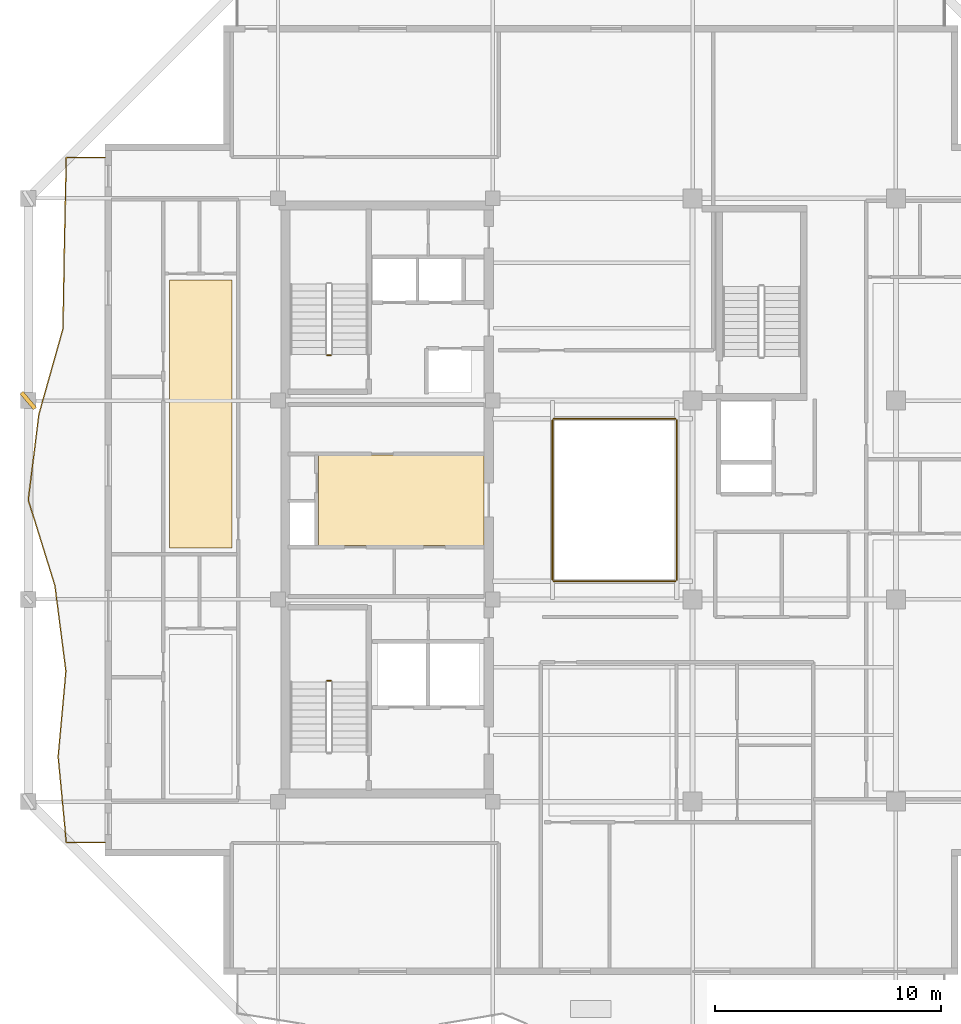
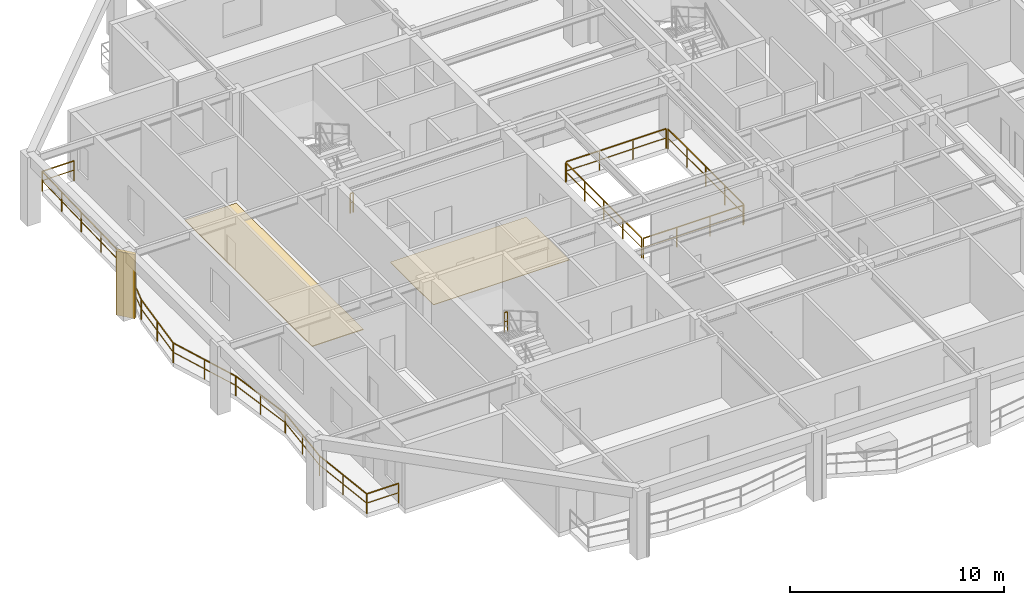
# One storey, part 9 of 12: 7 railings, 2 coverings, 1 shading device.
"""IFC4 building model written with IfcOpenShell, lengths in metres."""

from ifc_helpers import new_model, si_unit, direction, frame, origin, origin_2d, place, context, subcontext, project, spatial, polyline, rectangle, outline, extrude, material, layer, layer_set, type_object, element, save


model = new_model("IFC4")

# Units and contexts
model_context = context("Model", 3, precision=1e-05, world=origin(), true_north=direction((0.0, 1.0)))
body_context = subcontext(model_context, "Body", "Model", "MODEL_VIEW")
ifc_project = project(units=[si_unit("LENGTHUNIT", "METRE"), si_unit("AREAUNIT", "SQUARE_METRE"), si_unit("VOLUMEUNIT", "CUBIC_METRE"), si_unit("PLANEANGLEUNIT", "RADIAN"), si_unit("MASSUNIT", "GRAM", prefix="KILO")], contexts=[model_context])

# Site, building, storey
site_placement = place(None, origin())
site = spatial("IfcSite", under=ifc_project, at=site_placement, CompositionType="ELEMENT")
building_placement = place(site_placement, origin())
building = spatial("IfcBuilding", under=site, at=building_placement, Name="Kundavana Baori Tower", CompositionType="ELEMENT")
storey_placement = place(building_placement, frame((0.0, 0.0, 237.5)))
storey = spatial("IfcBuildingStorey", under=building, at=storey_placement, Name="L58", CompositionType="ELEMENT", Elevation=237.5)

# Coverings
ifc_material_1 = material(Name="Honed Kota Stone and Terrazzo Flooring", Category="masonry")
ifc_layer_1 = layer(ifc_material_1, 0.0400390625, Name="COV-FLR-TERR-40")
ifc_layer_set_1 = layer_set([ifc_layer_1], Name="Honed Kota Stone and Terrazzo Flooring")
covering_type_1 = type_object("IfcCoveringType", Name="COV-FLR-TERR-40", PredefinedType="FLOORING", material=ifc_layer_set_1)
covering_1_placement = place(storey_placement, origin())
element("IfcCovering", 1, at=covering_1_placement, inside=storey, type_object=covering_type_1, Name="L58 Room Finished Stone Flooring 2", PredefinedType="FLOORING", context=body_context, shape_type="SweptSolid", body=[
    extrude(outline(polyline([(10.64990234375, 26.47998046875), (13.419921875, 26.47998046875), (13.419921875, 38.340087890625), (10.64990234375, 38.340087890625), (10.64990234375, 26.47998046875)])), origin(), (0.0, 0.0, 1.0), 0.0400390625),
])
ifc_material_2 = material(Name="Honed Kota Stone and Terrazzo Flooring", Category="masonry")
ifc_layer_2 = layer(ifc_material_2, 0.030029296875, Name="COV-INT-FLR")
ifc_layer_set_2 = layer_set([ifc_layer_2], Name="Honed Kota Stone and Terrazzo Flooring")
covering_type_2 = type_object("IfcCoveringType", Name="COV-INT-FLR", PredefinedType="FLOORING", material=ifc_layer_set_2)
covering_2_placement = place(storey_placement, origin())
element("IfcCovering", 2, at=covering_2_placement, inside=storey, type_object=covering_type_2, Name="L58 Core Lift Lobby Kota Stone Flooring", PredefinedType="FLOORING", context=body_context, shape_type="SweptSolid", body=[
    extrude(outline(polyline([(17.25, 26.580078125), (24.580078125, 26.580078125), (24.580078125, 30.60009765625), (17.25, 30.60009765625), (17.25, 26.580078125)])), origin(), (0.0, 0.0, 1.0), 0.030029296875),
])

# Railings
ifc_material_3 = material(Name="Architectural Patinated Bronze Metalwork")
railing_type_1 = type_object("IfcRailingType", Name="RL-BAL-1150", PredefinedType="BALUSTRADE", material=ifc_material_3)
railing_1_placement = place(storey_placement, frame((7.800048828125, 13.449951171875, 0.0)))
element("IfcRailing", 3, at=railing_1_placement, inside=storey, type_object=railing_type_1, Name="L58 Loggia Balcony Balustrade W", PredefinedType="BALUSTRADE", context=body_context, shape_type="SweptSolid", body=[
    extrude(rectangle(XDim=0.048095703125, YDim=0.048095703125, at=origin_2d()), frame((0.0, 0.0, 1.1259765625), z_axis=(-1.0, 0.0, 0.0), x_axis=(0.0, -1.0, 0.0)), (0.0, 0.0, 1.0), 1.719970703125),
    extrude(rectangle(XDim=0.03125, YDim=0.03125, at=origin_2d()), frame((0.0, 0.0, 0.597900390625), z_axis=(-1.0, 0.0, 0.0), x_axis=(0.0, -1.0, 0.0)), (0.0, 0.0, 1.0), 1.719970703125),
    extrude(rectangle(XDim=0.048095703125, YDim=0.048095703125, at=origin_2d()), frame((-1.719970703125, 0.0, 1.1259765625), z_axis=(-0.094636507087, 0.995511894216, 0.0), x_axis=(-0.995511894216, -0.094636507087, 0.0)), (0.0, 0.0, 1.0), 3.80517578125),
    extrude(rectangle(XDim=0.03125, YDim=0.03125, at=origin_2d()), frame((-1.719970703125, 0.0, 0.597900390625), z_axis=(-0.094636507087, 0.995511894216, 0.0), x_axis=(-0.995511894216, -0.094636507087, 0.0)), (0.0, 0.0, 1.0), 3.80517578125),
    extrude(rectangle(XDim=0.048095703125, YDim=0.048095703125, at=origin_2d()), frame((-2.080078125, 3.7880859375, 1.1259765625), z_axis=(0.090211545969, 0.995922625998, 0.0), x_axis=(-0.995922625998, 0.090211545969, 0.0)), (0.0, 0.0, 1.0), 3.802490234375),
    extrude(rectangle(XDim=0.03125, YDim=0.03125, at=origin_2d()), frame((-2.080078125, 3.7880859375, 0.597900390625), z_axis=(0.090211545969, 0.995922625998, 0.0), x_axis=(-0.995922625998, 0.090211545969, 0.0)), (0.0, 0.0, 1.0), 3.802490234375),
    extrude(rectangle(XDim=0.048095703125, YDim=0.048095703125, at=origin_2d()), frame((-1.737060546875, 7.574951171875, 1.1259765625), z_axis=(-0.127307873225, 0.991863249352, 0.0), x_axis=(-0.991863249352, -0.127307873225, 0.0)), (0.0, 0.0, 1.0), 3.818115234375),
    extrude(rectangle(XDim=0.03125, YDim=0.03125, at=origin_2d()), frame((-1.737060546875, 7.574951171875, 0.597900390625), z_axis=(-0.127307873225, 0.991863249352, 0.0), x_axis=(-0.991863249352, -0.127307873225, 0.0)), (0.0, 0.0, 1.0), 3.818115234375),
    extrude(rectangle(XDim=0.048095703125, YDim=0.048095703125, at=origin_2d()), frame((-2.22314453125, 11.362060546875, 1.1259765625), z_axis=(-0.296718615779, 0.954964953833, 0.0), x_axis=(-0.954964953833, -0.296718615779, 0.0)), (0.0, 0.0, 1.0), 3.966796875),
    extrude(rectangle(XDim=0.03125, YDim=0.03125, at=origin_2d()), frame((-2.22314453125, 11.362060546875, 0.597900390625), z_axis=(-0.296718615779, 0.954964953833, 0.0), x_axis=(-0.954964953833, -0.296718615779, 0.0)), (0.0, 0.0, 1.0), 3.966796875),
    extrude(rectangle(XDim=0.048095703125, YDim=0.048095703125, at=origin_2d()), frame((-3.400146484375, 15.150146484375, 1.1259765625), z_axis=(0.122373326497, 0.992484140408, 0.0), x_axis=(-0.992484140408, 0.122373326497, 0.0)), (0.0, 0.0, 1.0), 3.81640625),
    extrude(rectangle(XDim=0.03125, YDim=0.03125, at=origin_2d()), frame((-3.400146484375, 15.150146484375, 0.597900390625), z_axis=(0.122373326497, 0.992484140408, 0.0), x_axis=(-0.992484140408, 0.122373326497, 0.0)), (0.0, 0.0, 1.0), 3.81640625),
    extrude(rectangle(XDim=0.048095703125, YDim=0.048095703125, at=origin_2d()), frame((-2.93310546875, 18.93798828125, 1.1259765625), z_axis=(0.270989965618, 0.962582172354, 0.0), x_axis=(-0.962582172354, 0.270989965618, 0.0)), (0.0, 0.0, 1.0), 3.934326171875),
    extrude(rectangle(XDim=0.03125, YDim=0.03125, at=origin_2d()), frame((-2.93310546875, 18.93798828125, 0.597900390625), z_axis=(0.270989965618, 0.962582172354, 0.0), x_axis=(-0.962582172354, 0.270989965618, 0.0)), (0.0, 0.0, 1.0), 3.934326171875),
    extrude(rectangle(XDim=0.048095703125, YDim=0.048095703125, at=origin_2d()), frame((-1.866943359375, 22.72509765625, 1.1259765625), z_axis=(0.017146598823, 0.999852986268, 0.0), x_axis=(-0.999852986268, 0.017146598823, 0.0)), (0.0, 0.0, 1.0), 3.787353515625),
    extrude(rectangle(XDim=0.03125, YDim=0.03125, at=origin_2d()), frame((-1.866943359375, 22.72509765625, 0.597900390625), z_axis=(0.017146598823, 0.999852986268, 0.0), x_axis=(-0.999852986268, 0.017146598823, 0.0)), (0.0, 0.0, 1.0), 3.787353515625),
    extrude(rectangle(XDim=0.048095703125, YDim=0.048095703125, at=origin_2d()), frame((-1.802001953125, 26.511962890625, 1.1259765625), z_axis=(0.02164999004, 0.999765611497, 0.0), x_axis=(-0.999765611497, 0.02164999004, 0.0)), (0.0, 0.0, 1.0), 3.7890625),
    extrude(rectangle(XDim=0.03125, YDim=0.03125, at=origin_2d()), frame((-1.802001953125, 26.511962890625, 0.597900390625), z_axis=(0.02164999004, 0.999765611497, 0.0), x_axis=(-0.999765611497, 0.02164999004, 0.0)), (0.0, 0.0, 1.0), 3.7890625),
    extrude(rectangle(XDim=0.048095703125, YDim=0.048095703125, at=origin_2d()), frame((-1.719970703125, 30.300048828125, 1.1259765625), z_axis=(1.0, 0.0, 0.0), x_axis=(0.0, 1.0, 0.0)), (0.0, 0.0, 1.0), 1.719970703125),
    extrude(rectangle(XDim=0.03125, YDim=0.03125, at=origin_2d()), frame((-1.719970703125, 30.300048828125, 0.597900390625), z_axis=(1.0, 0.0, 0.0), x_axis=(0.0, 1.0, 0.0)), (0.0, 0.0, 1.0), 1.719970703125),
    extrude(rectangle(XDim=0.0419921875, YDim=0.0419921875, at=origin_2d()), origin(), (0.0, 0.0, 1.0), 1.101806640625),
    extrude(rectangle(XDim=0.0419921875, YDim=0.0419921875, at=origin_2d()), frame((-1.719970703125, 0.0, 0.0)), (0.0, 0.0, 1.0), 1.101806640625),
    extrude(rectangle(XDim=0.0419921875, YDim=0.0419921875, at=origin_2d()), frame((-1.89990234375, 1.89404296875, 0.0)), (0.0, 0.0, 1.0), 1.101806640625),
    extrude(rectangle(XDim=0.0419921875, YDim=0.0419921875, at=origin_2d()), frame((-2.080078125, 3.7880859375, 0.0)), (0.0, 0.0, 1.0), 1.101806640625),
    extrude(rectangle(XDim=0.0419921875, YDim=0.0419921875, at=origin_2d()), frame((-1.90869140625, 5.681640625, 0.0)), (0.0, 0.0, 1.0), 1.101806640625),
    extrude(rectangle(XDim=0.0419921875, YDim=0.0419921875, at=origin_2d()), frame((-1.737060546875, 7.574951171875, 0.0)), (0.0, 0.0, 1.0), 1.101806640625),
    extrude(rectangle(XDim=0.0419921875, YDim=0.0419921875, at=origin_2d()), frame((-1.97998046875, 9.468505859375, 0.0)), (0.0, 0.0, 1.0), 1.101806640625),
    extrude(rectangle(XDim=0.0419921875, YDim=0.0419921875, at=origin_2d()), frame((-2.22314453125, 11.362060546875, 0.0)), (0.0, 0.0, 1.0), 1.101806640625),
    extrude(rectangle(XDim=0.0419921875, YDim=0.0419921875, at=origin_2d()), frame((-2.8115234375, 13.256103515625, 0.0)), (0.0, 0.0, 1.0), 1.101806640625),
    extrude(rectangle(XDim=0.0419921875, YDim=0.0419921875, at=origin_2d()), frame((-3.400146484375, 15.150146484375, 0.0)), (0.0, 0.0, 1.0), 1.101806640625),
    extrude(rectangle(XDim=0.0419921875, YDim=0.0419921875, at=origin_2d()), frame((-3.16650390625, 17.0439453125, 0.0)), (0.0, 0.0, 1.0), 1.101806640625),
    extrude(rectangle(XDim=0.0419921875, YDim=0.0419921875, at=origin_2d()), frame((-2.93310546875, 18.93798828125, 0.0)), (0.0, 0.0, 1.0), 1.101806640625),
    extrude(rectangle(XDim=0.0419921875, YDim=0.0419921875, at=origin_2d()), frame((-2.39990234375, 20.83154296875, 0.0)), (0.0, 0.0, 1.0), 1.101806640625),
    extrude(rectangle(XDim=0.0419921875, YDim=0.0419921875, at=origin_2d()), frame((-1.866943359375, 22.72509765625, 0.0)), (0.0, 0.0, 1.0), 1.101806640625),
    extrude(rectangle(XDim=0.0419921875, YDim=0.0419921875, at=origin_2d()), frame((-1.83447265625, 24.61865234375, 0.0)), (0.0, 0.0, 1.0), 1.101806640625),
    extrude(rectangle(XDim=0.0419921875, YDim=0.0419921875, at=origin_2d()), frame((-1.802001953125, 26.511962890625, 0.0)), (0.0, 0.0, 1.0), 1.101806640625),
    extrude(rectangle(XDim=0.0419921875, YDim=0.0419921875, at=origin_2d()), frame((-1.760986328125, 28.406005859375, 0.0)), (0.0, 0.0, 1.0), 1.101806640625),
    extrude(rectangle(XDim=0.0419921875, YDim=0.0419921875, at=origin_2d()), frame((-1.719970703125, 30.300048828125, 0.0)), (0.0, 0.0, 1.0), 1.101806640625),
    extrude(rectangle(XDim=0.0419921875, YDim=0.0419921875, at=origin_2d()), frame((0.0, 30.300048828125, 0.0)), (0.0, 0.0, 1.0), 1.101806640625),
])
ifc_material_4 = material(Name="Architectural Patinated Bronze Metalwork")
railing_type_2 = type_object("IfcRailingType", Name="RL-GRD-1150", PredefinedType="GUARDRAIL", material=ifc_material_4)
for number, where, name in (
    (4, (17.7900390625, 20.60009765625, 1.949951171875), "L58 ST1 stair guard 2"),
    (5, (17.7900390625, 35.0, 0.0), "L58 ST2 stair guard 4"),
):
    element("IfcRailing", number, at=place(storey_placement, frame(where)), inside=storey, type_object=railing_type_2, Name=name, PredefinedType="GUARDRAIL", context=body_context, shape_type="SweptSolid", body=[
        extrude(rectangle(XDim=0.048095703125, YDim=0.048095703125, at=origin_2d()), frame((0.0, 0.0, 1.1259765625), z_axis=(-1.0, 0.0, 0.0), x_axis=(0.0, -1.0, 0.0)), (0.0, 0.0, 1.0), 0.16015625),
        extrude(rectangle(XDim=0.03125, YDim=0.03125, at=origin_2d()), frame((0.0, 0.0, 0.597900390625), z_axis=(-1.0, 0.0, 0.0), x_axis=(0.0, -1.0, 0.0)), (0.0, 0.0, 1.0), 0.16015625),
        extrude(rectangle(XDim=0.0419921875, YDim=0.0419921875, at=origin_2d()), origin(), (0.0, 0.0, 1.0), 1.101806640625),
        extrude(rectangle(XDim=0.0419921875, YDim=0.0419921875, at=origin_2d()), frame((-0.16015625, 0.0, 0.0)), (0.0, 0.0, 1.0), 1.101806640625),
    ])
railing_2_placement = place(storey_placement, frame((27.659912109375, 25.0, 0.0)))
element("IfcRailing", 6, at=railing_2_placement, inside=storey, type_object=railing_type_2, Name="L58 Atrium Void Perimeter Guardrail S", PredefinedType="GUARDRAIL", context=body_context, shape_type="SweptSolid", body=[
    extrude(rectangle(XDim=0.048095703125, YDim=0.048095703125, at=origin_2d()), frame((0.0, 0.0, 1.1259765625), z_axis=(1.0, 0.0, 0.0), x_axis=(0.0, 1.0, 0.0)), (0.0, 0.0, 1.0), 5.380126953125),
    extrude(rectangle(XDim=0.03125, YDim=0.03125, at=origin_2d()), frame((0.0, 0.0, 0.597900390625), z_axis=(1.0, 0.0, 0.0), x_axis=(0.0, 1.0, 0.0)), (0.0, 0.0, 1.0), 5.380126953125),
    extrude(rectangle(XDim=0.0419921875, YDim=0.0419921875, at=origin_2d()), origin(), (0.0, 0.0, 1.0), 1.101806640625),
    extrude(rectangle(XDim=0.0419921875, YDim=0.0419921875, at=origin_2d()), frame((1.79345703125, 0.0, 0.0)), (0.0, 0.0, 1.0), 1.101806640625),
    extrude(rectangle(XDim=0.0419921875, YDim=0.0419921875, at=origin_2d()), frame((3.586669921875, 0.0, 0.0)), (0.0, 0.0, 1.0), 1.101806640625),
    extrude(rectangle(XDim=0.0419921875, YDim=0.0419921875, at=origin_2d()), frame((5.380126953125, 0.0, 0.0)), (0.0, 0.0, 1.0), 1.101806640625),
])
railing_3_placement = place(storey_placement, frame((33.10009765625, 25.06005859375, 0.0)))
element("IfcRailing", 7, at=railing_3_placement, inside=storey, type_object=railing_type_2, Name="L58 Atrium Void Perimeter Guardrail E", PredefinedType="GUARDRAIL", context=body_context, shape_type="SweptSolid", body=[
    extrude(rectangle(XDim=0.048095703125, YDim=0.048095703125, at=origin_2d()), frame((0.0, 0.0, 1.1259765625), z_axis=(0.0, 1.0, 0.0), x_axis=(-1.0, 0.0, 0.0)), (0.0, 0.0, 1.0), 7.079833984375),
    extrude(rectangle(XDim=0.03125, YDim=0.03125, at=origin_2d()), frame((0.0, 0.0, 0.597900390625), z_axis=(0.0, 1.0, 0.0), x_axis=(-1.0, 0.0, 0.0)), (0.0, 0.0, 1.0), 7.079833984375),
    extrude(rectangle(XDim=0.0419921875, YDim=0.0419921875, at=origin_2d()), origin(), (0.0, 0.0, 1.0), 1.101806640625),
    extrude(rectangle(XDim=0.0419921875, YDim=0.0419921875, at=origin_2d()), frame((0.0, 1.77001953125, 0.0)), (0.0, 0.0, 1.0), 1.101806640625),
    extrude(rectangle(XDim=0.0419921875, YDim=0.0419921875, at=origin_2d()), frame((0.0, 3.5400390625, 0.0)), (0.0, 0.0, 1.0), 1.101806640625),
    extrude(rectangle(XDim=0.0419921875, YDim=0.0419921875, at=origin_2d()), frame((0.0, 5.309814453125, 0.0)), (0.0, 0.0, 1.0), 1.101806640625),
    extrude(rectangle(XDim=0.0419921875, YDim=0.0419921875, at=origin_2d()), frame((0.0, 7.079833984375, 0.0)), (0.0, 0.0, 1.0), 1.101806640625),
])
railing_4_placement = place(storey_placement, frame((33.0400390625, 32.199951171875, 0.0)))
element("IfcRailing", 8, at=railing_4_placement, inside=storey, type_object=railing_type_2, Name="L58 Atrium Void Perimeter Guardrail N", PredefinedType="GUARDRAIL", context=body_context, shape_type="SweptSolid", body=[
    extrude(rectangle(XDim=0.048095703125, YDim=0.048095703125, at=origin_2d()), frame((0.0, 0.0, 1.1259765625), z_axis=(-1.0, 0.0, 0.0), x_axis=(0.0, -1.0, 0.0)), (0.0, 0.0, 1.0), 5.380126953125),
    extrude(rectangle(XDim=0.03125, YDim=0.03125, at=origin_2d()), frame((0.0, 0.0, 0.597900390625), z_axis=(-1.0, 0.0, 0.0), x_axis=(0.0, -1.0, 0.0)), (0.0, 0.0, 1.0), 5.380126953125),
    extrude(rectangle(XDim=0.0419921875, YDim=0.0419921875, at=origin_2d()), origin(), (0.0, 0.0, 1.0), 1.101806640625),
    extrude(rectangle(XDim=0.0419921875, YDim=0.0419921875, at=origin_2d()), frame((-1.79345703125, 0.0, 0.0)), (0.0, 0.0, 1.0), 1.101806640625),
    extrude(rectangle(XDim=0.0419921875, YDim=0.0419921875, at=origin_2d()), frame((-3.586669921875, 0.0, 0.0)), (0.0, 0.0, 1.0), 1.101806640625),
    extrude(rectangle(XDim=0.0419921875, YDim=0.0419921875, at=origin_2d()), frame((-5.380126953125, 0.0, 0.0)), (0.0, 0.0, 1.0), 1.101806640625),
])
railing_5_placement = place(storey_placement, frame((27.60009765625, 32.139892578125, 0.0)))
element("IfcRailing", 9, at=railing_5_placement, inside=storey, type_object=railing_type_2, Name="L58 Atrium Void Perimeter Guardrail W", PredefinedType="GUARDRAIL", context=body_context, shape_type="SweptSolid", body=[
    extrude(rectangle(XDim=0.048095703125, YDim=0.048095703125, at=origin_2d()), frame((0.0, 0.0, 1.1259765625), z_axis=(0.0, -1.0, 0.0), x_axis=(1.0, 0.0, 0.0)), (0.0, 0.0, 1.0), 7.079833984375),
    extrude(rectangle(XDim=0.03125, YDim=0.03125, at=origin_2d()), frame((0.0, 0.0, 0.597900390625), z_axis=(0.0, -1.0, 0.0), x_axis=(1.0, 0.0, 0.0)), (0.0, 0.0, 1.0), 7.079833984375),
    extrude(rectangle(XDim=0.0419921875, YDim=0.0419921875, at=origin_2d()), origin(), (0.0, 0.0, 1.0), 1.101806640625),
    extrude(rectangle(XDim=0.0419921875, YDim=0.0419921875, at=origin_2d()), frame((0.0, -1.77001953125, 0.0)), (0.0, 0.0, 1.0), 1.101806640625),
    extrude(rectangle(XDim=0.0419921875, YDim=0.0419921875, at=origin_2d()), frame((0.0, -3.5400390625, 0.0)), (0.0, 0.0, 1.0), 1.101806640625),
    extrude(rectangle(XDim=0.0419921875, YDim=0.0419921875, at=origin_2d()), frame((0.0, -5.309814453125, 0.0)), (0.0, 0.0, 1.0), 1.101806640625),
    extrude(rectangle(XDim=0.0419921875, YDim=0.0419921875, at=origin_2d()), frame((0.0, -7.079833984375, 0.0)), (0.0, 0.0, 1.0), 1.101806640625),
])

# Shading device
ifc_material_5 = material(Name="Red-Buff Dholpur Sandstone Cladding on Concrete C40/50", Category="masonry")
shading_device_type = type_object("IfcShadingDeviceType", Name="SHD-FIN-920", PredefinedType="JALOUSIE", material=ifc_material_5)
shading_device_placement = place(storey_placement, frame((4.39990234375, 33.0, 0.0), z_axis=(0.0, 0.0, 1.0), x_axis=(0.763006883472, 0.646390358665, 0.0)))
element("IfcShadingDevice", 10, at=shading_device_placement, inside=storey, type_object=shading_device_type, Name="L58 Sweeping Dholpur Sandstone Facade Fin 7", PredefinedType="JALOUSIE", context=body_context, shape_type="SweptSolid", body=[
    extrude(rectangle(XDim=0.179931640625, YDim=0.919921875, at=origin_2d()), origin(), (0.0, 0.0, 1.0), 3.659912109375),
])

save(model, "model.ifc")
